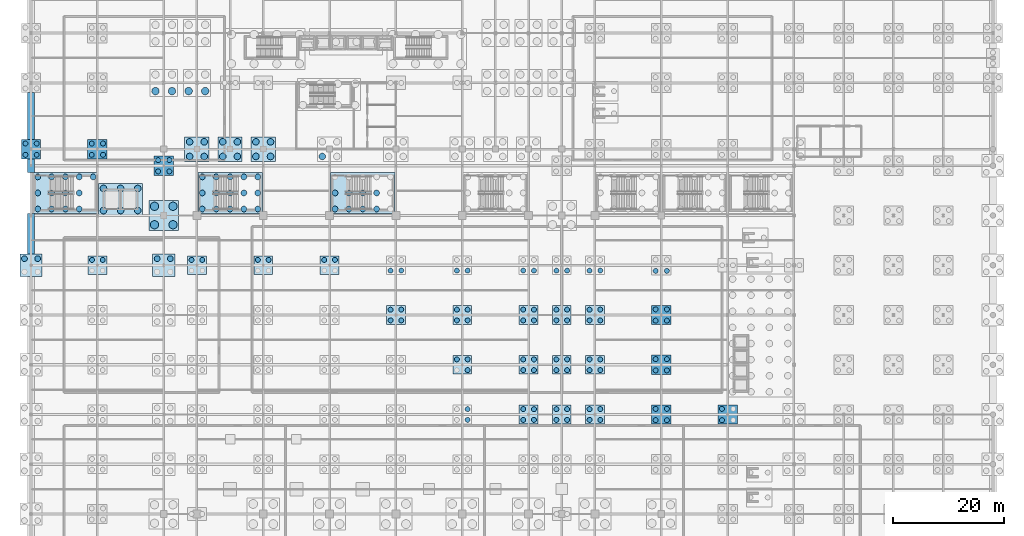
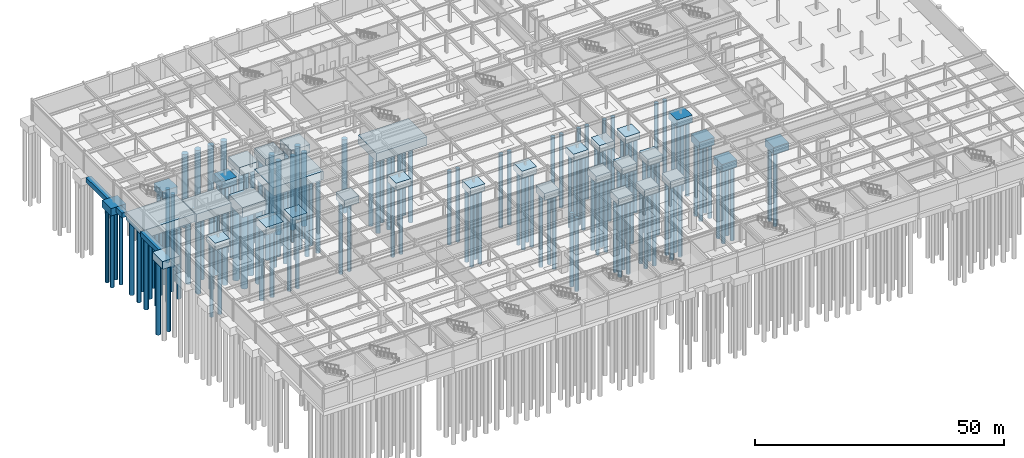
# One storey, part 3 of 47: 162 piles, 36 footings.
"""IFC4 building model written with IfcOpenShell, lengths in metres."""

from ifc_helpers import new_model, si_unit, direction, frame, origin, origin_2d, place, context, subcontext, project, spatial, rectangle, circle, extrude, material, material_profile, profile_set, type_object, element, save


model = new_model("IFC4")

# Units and contexts
model_context = context("Model", 3, precision=1e-05, world=origin(), true_north=direction((0.0, 1.0)))
body_context = subcontext(model_context, "Body", "Model", "MODEL_VIEW")
ifc_project = project(units=[si_unit("LENGTHUNIT", "METRE"), si_unit("AREAUNIT", "SQUARE_METRE"), si_unit("VOLUMEUNIT", "CUBIC_METRE"), si_unit("PLANEANGLEUNIT", "RADIAN"), si_unit("MASSUNIT", "GRAM", prefix="KILO")], contexts=[model_context])

# Site, building, storey
site_placement = place(None, origin())
site = spatial("IfcSite", under=ifc_project, at=site_placement, CompositionType="ELEMENT")
building_placement = place(site_placement, origin())
building = spatial("IfcBuilding", under=site, at=building_placement, Name="Kaldorvane Square Convention Centre", CompositionType="ELEMENT")
storey_placement = place(building_placement, frame((0.0, 0.0, -5.399993896484375)))
storey = spatial("IfcBuildingStorey", under=building, at=storey_placement, Name="B01", CompositionType="ELEMENT", Elevation=-5.399993896484375)

# Footings
ifc_material = material(Name="Concrete f'c = 42 MPa (Normalweight)", Category="concrete")
footing_type_1 = type_object("IfcFootingType", Name="FT-FB-1200X1200", PredefinedType="FOOTING_BEAM", material=ifc_material)
footing_1_placement = place(storey_placement, frame((0.0, 68.67500305175781, -1.20001220703125), z_axis=(0.0, 0.0, 1.0), x_axis=(1.0, 0.0, 0.0)))
element("IfcFooting", 1, at=footing_1_placement, inside=storey, type_object=footing_type_1, Name="Seismic Footing Beam 040", PredefinedType="FOOTING_BEAM", context=body_context, shape_type="SweptSolid", body=[
    extrude(rectangle(XDim=1.1999969482421875, YDim=7.350006103515625, at=origin_2d()), origin(), (0.0, 0.0, 1.0), 1.1999969482421875),
])
footing_2_placement = place(storey_placement, frame((0.0, 81.02999877929688, -1.20001220703125), z_axis=(0.0, 0.0, 1.0), x_axis=(1.0, 0.0, 0.0)))
element("IfcFooting", 2, at=footing_2_placement, inside=storey, type_object=footing_type_1, Name="Seismic Footing Beam 041", PredefinedType="FOOTING_BEAM", context=body_context, shape_type="SweptSolid", body=[
    extrude(rectangle(XDim=1.1999969482421875, YDim=2.44000244140625, at=origin_2d()), origin(), (0.0, 0.0, 1.0), 1.1999969482421875),
])
footing_3_placement = place(storey_placement, frame((0.0, 90.0, -1.20001220703125), z_axis=(0.0, 0.0, 1.0), x_axis=(1.0, 0.0, 0.0)))
element("IfcFooting", 3, at=footing_3_placement, inside=storey, type_object=footing_type_1, Name="Seismic Footing Beam 042", PredefinedType="FOOTING_BEAM", context=body_context, shape_type="SweptSolid", body=[
    extrude(rectangle(XDim=1.1999969482421875, YDim=8.5, at=origin_2d()), origin(), (0.0, 0.0, 1.0), 1.1999969482421875),
])
footing_type_2 = type_object("IfcFootingType", Name="FT-PC-3400X3400", PredefinedType="PILE_CAP", material=ifc_material)
for number, where, z_axis, x_axis, name in (
    (4, (12.0, 63.0, -1.70001220703125), (0.0, 0.0, 1.0), (1.0, 0.0, 0.0), "Pile Cap FC-37-022"),
    (5, (30.0, 63.0, -1.70001220703125), (0.0, 0.0, 1.0), (1.0, 0.0, 0.0), "Pile Cap FC-37-050"),
    (6, (42.0, 63.0, -1.70001220703125), (0.0, 0.0, 1.0), (1.0, 0.0, 0.0), "Pile Cap FC-37-068"),
    (7, (54.0, 63.0, -1.70001220703125), (0.0, 0.0, 1.0), (1.0, 0.0, 0.0), "Pile Cap FC-37-082"),
    (8, (66.0, 54.0, -1.70001220703125), (0.0, 0.0, 1.0), (1.0, 0.0, 0.0), "Pile Cap FC-37-094"),
    (9, (78.0, 45.0, -1.70001220703125), (0.0, 0.0, 1.0), (1.0, 0.0, 0.0), "Pile Cap FC-37-107"),
    (10, (78.0, 54.0, -1.70001220703125), (0.0, 0.0, 1.0), (1.0, 0.0, 0.0), "Pile Cap FC-37-108"),
    (11, (90.0, 36.0, -1.70001220703125), (0.0, 0.0, 1.0), (1.0, 0.0, 0.0), "Pile Cap FC-37-124"),
    (12, (90.0, 45.0, -1.70001220703125), (0.0, 0.0, 1.0), (1.0, 0.0, 0.0), "Pile Cap FC-37-125"),
    (13, (90.0, 54.0, -1.70001220703125), (0.0, 0.0, 1.0), (1.0, 0.0, 0.0), "Pile Cap FC-37-126"),
    (14, (96.0, 36.0, -1.70001220703125), (0.0, 0.0, 1.0), (1.0, 0.0, 0.0), "Pile Cap FC-37-138"),
    (15, (96.0, 45.0, -1.70001220703125), (0.0, 0.0, 1.0), (1.0, 0.0, 0.0), "Pile Cap FC-37-139"),
    (16, (96.0, 54.0, -1.70001220703125), (0.0, 0.0, 1.0), (1.0, 0.0, 0.0), "Pile Cap FC-37-140"),
    (17, (102.0, 36.0, -1.70001220703125), (0.0, 0.0, 1.0), (1.0, 0.0, 0.0), "Pile Cap FC-37-152"),
    (18, (102.0, 45.0, -1.70001220703125), (0.0, 0.0, 1.0), (1.0, 0.0, 0.0), "Pile Cap FC-37-153"),
    (19, (102.0, 54.0, -1.70001220703125), (0.0, 0.0, 1.0), (1.0, 0.0, 0.0), "Pile Cap FC-37-154"),
):
    element("IfcFooting", number, at=place(storey_placement, frame(where, z_axis=z_axis, x_axis=x_axis)), inside=storey, type_object=footing_type_2, Name=name, PredefinedType="PILE_CAP", context=body_context, shape_type="SweptSolid", body=[
        extrude(rectangle(XDim=3.399993896484375, YDim=3.399993896484375, at=origin_2d()), origin(), (0.0, 0.0, 1.0), 1.6999969482421875),
    ])
footing_type_3 = type_object("IfcFootingType", Name="FT-PC-3500X3500", PredefinedType="PILE_CAP", material=ifc_material)
for number, where, z_axis, x_axis, name in (
    (20, (0.0, 84.0, -1.800018310546875), (0.0, 0.0, 1.0), (1.0, 0.0, 0.0), "Pile Cap FC-36-011"),
    (21, (12.0, 84.0, -1.800018310546875), (0.0, 0.0, 1.0), (1.0, 0.0, 0.0), "Pile Cap FC-36-025"),
    (22, (24.0, 81.0, -1.800018310546875), (0.0, 0.0, 1.0), (1.0, 0.0, 0.0), "Pile Cap FC-36-038"),
    (23, (114.0, 36.0, -1.800018310546875), (0.0, 0.0, 1.0), (1.0, 0.0, 0.0), "Pile Cap FC-36-166"),
    (24, (114.0, 45.0, -1.800018310546875), (0.0, 0.0, 1.0), (1.0, 0.0, 0.0), "Pile Cap FC-36-167"),
    (25, (114.0, 54.0, -1.800018310546875), (0.0, 0.0, 1.0), (1.0, 0.0, 0.0), "Pile Cap FC-36-168"),
    (26, (126.0, 36.0, -1.800018310546875), (0.0, 0.0, 1.0), (1.0, 0.0, 0.0), "Pile Cap FC-36-180"),
):
    element("IfcFooting", number, at=place(storey_placement, frame(where, z_axis=z_axis, x_axis=x_axis)), inside=storey, type_object=footing_type_3, Name=name, PredefinedType="PILE_CAP", context=body_context, shape_type="SweptSolid", body=[
        extrude(rectangle(XDim=3.5, YDim=3.5, at=origin_2d()), origin(), (0.0, 0.0, 1.0), 1.8000030517578125),
    ])
footing_type_4 = type_object("IfcFootingType", Name="FT-PC-4000X4000", PredefinedType="PILE_CAP", material=ifc_material)
for number, where, z_axis, x_axis, name in (
    (27, (0.0, 63.0, -1.9000091552734375), (0.0, 0.0, 1.0), (1.0, 0.0, 0.0), "Pile Cap FC-35-008"),
    (28, (24.0, 63.0, -1.9000091552734375), (0.0, 0.0, 1.0), (1.0, 0.0, 0.0), "Pile Cap FC-35-036"),
):
    element("IfcFooting", number, at=place(storey_placement, frame(where, z_axis=z_axis, x_axis=x_axis)), inside=storey, type_object=footing_type_4, Name=name, PredefinedType="PILE_CAP", context=body_context, shape_type="SweptSolid", body=[
        extrude(rectangle(XDim=4.0, YDim=4.0, at=origin_2d()), origin(), (0.0, 0.0, 1.0), 1.899993896484375),
    ])
footing_type_5 = type_object("IfcFootingType", Name="FT-PC-4400X4400", PredefinedType="PILE_CAP", material=ifc_material)
for number, where, z_axis, x_axis, name in (
    (29, (30.0, 84.0, -2.0), (0.0, 0.0, 1.0), (1.0, 0.0, 0.0), "Pile Cap FC-34-053"),
    (30, (36.0, 84.0, -2.0), (0.0, 0.0, 1.0), (1.0, 0.0, 0.0), "Pile Cap FC-34-057"),
    (31, (42.0, 84.0, -2.0), (0.0, 0.0, 1.0), (1.0, 0.0, 0.0), "Pile Cap FC-34-071"),
):
    element("IfcFooting", number, at=place(storey_placement, frame(where, z_axis=z_axis, x_axis=x_axis)), inside=storey, type_object=footing_type_5, Name=name, PredefinedType="PILE_CAP", context=body_context, shape_type="SweptSolid", body=[
        extrude(rectangle(XDim=4.399993896484375, YDim=4.399993896484375, at=origin_2d()), origin(), (0.0, 0.0, 1.0), 2.0),
    ])
footing_type_6 = type_object("IfcFootingType", Name="FT-PC-5400X5400", PredefinedType="PILE_CAP", material=ifc_material)
footing_4_placement = place(storey_placement, frame((24.0, 72.0, -2.4000091552734375), z_axis=(0.0, 0.0, 1.0), x_axis=(1.0, 0.0, 0.0)))
element("IfcFooting", 32, at=footing_4_placement, inside=storey, type_object=footing_type_6, Name="Pile Cap FC-32-037", PredefinedType="PILE_CAP", context=body_context, shape_type="SweptSolid", body=[
    extrude(rectangle(XDim=5.399993896484375, YDim=5.399993896484375, at=origin_2d()), origin(), (0.0, 0.0, 1.0), 2.399993896484375),
])
footing_type_7 = type_object("IfcFootingType", Name="FT-PC-CORE-FG", PredefinedType="PILE_CAP", material=ifc_material)
footing_5_placement = place(storey_placement, frame((16.199996948242188, 74.89999389648438, -2.100006103515625), z_axis=(0.0, 0.0, 1.0), x_axis=(1.0, 0.0, 0.0)))
element("IfcFooting", 33, at=footing_5_placement, inside=storey, type_object=footing_type_7, Name="Core Pile Cap FC-06", PredefinedType="PILE_CAP", context=body_context, shape_type="SweptSolid", body=[
    extrude(rectangle(XDim=8.0, YDim=5.8000030517578125, at=origin_2d()), origin(), (0.0, 0.0, 1.0), 2.100006103515625),
])
footing_type_8 = type_object("IfcFootingType", Name="FT-PC-STAIR-ST-C12", PredefinedType="PILE_CAP", material=ifc_material)
footing_6_placement = place(storey_placement, frame((6.220001220703125, 76.08000183105469, -2.0), z_axis=(0.0, 0.0, 1.0), x_axis=(1.0, 0.0, 0.0)))
element("IfcFooting", 34, at=footing_6_placement, inside=storey, type_object=footing_type_8, Name="Core Pile Cap FC-17", PredefinedType="PILE_CAP", context=body_context, shape_type="SweptSolid", body=[
    extrude(rectangle(XDim=11.67999267578125, YDim=7.4600067138671875, at=origin_2d()), origin(), (0.0, 0.0, 1.0), 2.0),
])
footing_type_9 = type_object("IfcFootingType", Name="FT-PC-STAIR-ST-C13", PredefinedType="PILE_CAP", material=ifc_material)
footing_7_placement = place(storey_placement, frame((36.0, 76.08000183105469, -2.050018310546875), z_axis=(0.0, 0.0, 1.0), x_axis=(1.0, 0.0, 0.0)))
element("IfcFooting", 35, at=footing_7_placement, inside=storey, type_object=footing_type_9, Name="Core Pile Cap FC-18", PredefinedType="PILE_CAP", context=body_context, shape_type="SweptSolid", body=[
    extrude(rectangle(XDim=11.67999267578125, YDim=7.4600067138671875, at=origin_2d()), origin(), (0.0, 0.0, 1.0), 2.0500030517578125),
])
footing_type_10 = type_object("IfcFootingType", Name="FT-PC-STAIR-ST-C14", PredefinedType="PILE_CAP", material=ifc_material)
footing_8_placement = place(storey_placement, frame((60.0, 76.08000183105469, -2.100006103515625), z_axis=(0.0, 0.0, 1.0), x_axis=(1.0, 0.0, 0.0)))
element("IfcFooting", 36, at=footing_8_placement, inside=storey, type_object=footing_type_10, Name="Core Pile Cap FC-19", PredefinedType="PILE_CAP", context=body_context, shape_type="SweptSolid", body=[
    extrude(rectangle(XDim=11.67999267578125, YDim=7.4600067138671875, at=origin_2d()), origin(), (0.0, 0.0, 1.0), 2.100006103515625),
])

# Piles
ifc_material_profile_1 = material_profile(ifc_material, circle(Radius=0.524993896484375, at=origin_2d()), Name="PILE-D1050")
ifc_profile_set_1 = profile_set([ifc_material_profile_1], Name="Concrete f'c = 42 MPa (Normalweight)")
pile_type_1 = type_object("IfcPileType", Name="PL-CIDH-1050", PredefinedType="BORED", material=ifc_profile_set_1)
for number, where, z_axis, x_axis, name in (
    (37, (1.2050018310546875, 73.17500305175781, -2.0), (0.0, 0.0, -1.0), (1.0, 0.0, 0.0), "Bored Pile 0199"),
    (38, (1.2050018310546875, 76.08000183105469, -2.0), (0.0, 0.0, -1.0), (1.0, 0.0, 0.0), "Bored Pile 0200"),
    (39, (1.2050018310546875, 78.98500061035156, -2.0), (0.0, 0.0, -1.0), (1.0, 0.0, 0.0), "Bored Pile 0201"),
    (40, (3.712493896484375, 73.17500305175781, -2.0), (0.0, 0.0, -1.0), (1.0, 0.0, 0.0), "Bored Pile 0202"),
    (41, (3.712493896484375, 76.08000183105469, -2.0), (0.0, 0.0, -1.0), (1.0, 0.0, 0.0), "Bored Pile 0203"),
    (42, (3.712493896484375, 78.98500061035156, -2.0), (0.0, 0.0, -1.0), (1.0, 0.0, 0.0), "Bored Pile 0204"),
    (43, (6.220001220703125, 73.17500305175781, -2.0), (0.0, 0.0, -1.0), (1.0, 0.0, 0.0), "Bored Pile 0205"),
    (44, (6.220001220703125, 76.08000183105469, -2.0), (0.0, 0.0, -1.0), (1.0, 0.0, 0.0), "Bored Pile 0206"),
    (45, (6.220001220703125, 78.98500061035156, -2.0), (0.0, 0.0, -1.0), (1.0, 0.0, 0.0), "Bored Pile 0207"),
    (46, (8.727493286132812, 73.17500305175781, -2.0), (0.0, 0.0, -1.0), (1.0, 0.0, 0.0), "Bored Pile 0208"),
    (47, (8.727493286132812, 76.08000183105469, -2.0), (0.0, 0.0, -1.0), (1.0, 0.0, 0.0), "Bored Pile 0209"),
    (48, (8.727493286132812, 78.98500061035156, -2.0), (0.0, 0.0, -1.0), (1.0, 0.0, 0.0), "Bored Pile 0210"),
    (49, (11.235000610351562, 78.98500061035156, -2.0), (0.0, 0.0, -1.0), (1.0, 0.0, 0.0), "Bored Pile 0211"),
    (50, (30.985000610351562, 73.17500305175781, -2.0500030517578125), (0.0, 0.0, -1.0), (1.0, 0.0, 0.0), "Bored Pile 0212"),
    (51, (30.985000610351562, 76.08000183105469, -2.0500030517578125), (0.0, 0.0, -1.0), (1.0, 0.0, 0.0), "Bored Pile 0213"),
    (52, (30.985000610351562, 78.98500061035156, -2.0500030517578125), (0.0, 0.0, -1.0), (1.0, 0.0, 0.0), "Bored Pile 0214"),
    (53, (33.49249267578125, 73.17500305175781, -2.0500030517578125), (0.0, 0.0, -1.0), (1.0, 0.0, 0.0), "Bored Pile 0215"),
    (54, (33.49249267578125, 76.08000183105469, -2.0500030517578125), (0.0, 0.0, -1.0), (1.0, 0.0, 0.0), "Bored Pile 0216"),
    (55, (33.49249267578125, 78.98500061035156, -2.0500030517578125), (0.0, 0.0, -1.0), (1.0, 0.0, 0.0), "Bored Pile 0217"),
    (56, (36.0, 73.17500305175781, -2.0500030517578125), (0.0, 0.0, -1.0), (1.0, 0.0, 0.0), "Bored Pile 0218"),
    (57, (36.0, 76.08000183105469, -2.0500030517578125), (0.0, 0.0, -1.0), (1.0, 0.0, 0.0), "Bored Pile 0219"),
    (58, (36.0, 78.98500061035156, -2.0500030517578125), (0.0, 0.0, -1.0), (1.0, 0.0, 0.0), "Bored Pile 0220"),
    (59, (38.50750732421875, 73.17500305175781, -2.0500030517578125), (0.0, 0.0, -1.0), (1.0, 0.0, 0.0), "Bored Pile 0221"),
    (60, (38.50750732421875, 76.08000183105469, -2.0500030517578125), (0.0, 0.0, -1.0), (1.0, 0.0, 0.0), "Bored Pile 0222"),
    (61, (38.50750732421875, 78.98500061035156, -2.0500030517578125), (0.0, 0.0, -1.0), (1.0, 0.0, 0.0), "Bored Pile 0223"),
    (62, (41.01499938964844, 73.17500305175781, -2.0500030517578125), (0.0, 0.0, -1.0), (1.0, 0.0, 0.0), "Bored Pile 0224"),
    (63, (41.01499938964844, 76.08000183105469, -2.0500030517578125), (0.0, 0.0, -1.0), (1.0, 0.0, 0.0), "Bored Pile 0225"),
    (64, (41.01499938964844, 78.98500061035156, -2.0500030517578125), (0.0, 0.0, -1.0), (1.0, 0.0, 0.0), "Bored Pile 0226"),
    (65, (54.98500061035156, 73.17500305175781, -2.100006103515625), (0.0, 0.0, -1.0), (1.0, 0.0, 0.0), "Bored Pile 0227"),
    (66, (54.98500061035156, 76.08000183105469, -2.100006103515625), (0.0, 0.0, -1.0), (1.0, 0.0, 0.0), "Bored Pile 0228"),
    (67, (57.49249267578125, 73.17500305175781, -2.100006103515625), (0.0, 0.0, -1.0), (1.0, 0.0, 0.0), "Bored Pile 0230"),
    (68, (57.49249267578125, 76.08000183105469, -2.100006103515625), (0.0, 0.0, -1.0), (1.0, 0.0, 0.0), "Bored Pile 0231"),
    (69, (60.0, 73.17500305175781, -2.100006103515625), (0.0, 0.0, -1.0), (1.0, 0.0, 0.0), "Bored Pile 0233"),
    (70, (60.0, 76.08000183105469, -2.100006103515625), (0.0, 0.0, -1.0), (1.0, 0.0, 0.0), "Bored Pile 0234"),
    (71, (62.50750732421875, 73.17500305175781, -2.100006103515625), (0.0, 0.0, -1.0), (1.0, 0.0, 0.0), "Bored Pile 0236"),
    (72, (62.50750732421875, 76.08000183105469, -2.100006103515625), (0.0, 0.0, -1.0), (1.0, 0.0, 0.0), "Bored Pile 0237"),
    (73, (-1.19500732421875, 64.19500732421875, -1.9000091552734375), (0.0, 0.0, -1.0), (1.0, 0.0, 0.0), "Bored Pile 0329"),
    (74, (1.19500732421875, 64.19500732421875, -1.9000091552734375), (0.0, 0.0, -1.0), (1.0, 0.0, 0.0), "Bored Pile 0331"),
    (75, (22.80499267578125, 64.19500732421875, -1.9000091552734375), (0.0, 0.0, -1.0), (1.0, 0.0, 0.0), "Bored Pile 0409"),
    (76, (25.19500732421875, 64.19500732421875, -1.9000091552734375), (0.0, 0.0, -1.0), (1.0, 0.0, 0.0), "Bored Pile 0411"),
):
    element("IfcPile", number, at=place(storey_placement, frame(where, z_axis=z_axis, x_axis=x_axis)), inside=storey, type_object=pile_type_1, Name=name, PredefinedType="BORED", context=body_context, shape_type="SweptSolid", body=[
        extrude(circle(Radius=0.524993896484375, at=origin_2d()), origin(), (0.0, 0.0, 1.0), 18.0),
    ])
ifc_material_profile_2 = material_profile(ifc_material, circle(Radius=0.600006103515625, at=origin_2d()), Name="PILE-D1200")
ifc_profile_set_2 = profile_set([ifc_material_profile_2], Name="Concrete f'c = 42 MPa (Normalweight)")
pile_type_2 = type_object("IfcPileType", Name="PL-CIDH-1200", PredefinedType="BORED", material=ifc_profile_set_2)
for number, where, z_axis, x_axis, name in (
    (77, (13.100006103515625, 72.89999389648438, -2.100006103515625), (0.0, 0.0, -1.0), (1.0, 0.0, 0.0), "Bored Pile 0061"),
    (78, (13.100006103515625, 76.89999389648438, -2.100006103515625), (0.0, 0.0, -1.0), (1.0, 0.0, 0.0), "Bored Pile 0062"),
    (79, (16.199996948242188, 72.89999389648438, -2.100006103515625), (0.0, 0.0, -1.0), (1.0, 0.0, 0.0), "Bored Pile 0063"),
    (80, (16.199996948242188, 76.89999389648438, -2.100006103515625), (0.0, 0.0, -1.0), (1.0, 0.0, 0.0), "Bored Pile 0064"),
    (81, (19.300003051757812, 72.89999389648438, -2.100006103515625), (0.0, 0.0, -1.0), (1.0, 0.0, 0.0), "Bored Pile 0065"),
    (82, (19.300003051757812, 76.89999389648438, -2.100006103515625), (0.0, 0.0, -1.0), (1.0, 0.0, 0.0), "Bored Pile 0066"),
    (83, (28.67999267578125, 82.67999267578125, -2.0), (0.0, 0.0, -1.0), (1.0, 0.0, 0.0), "Bored Pile 0454"),
    (84, (28.67999267578125, 85.32000732421875, -2.0), (0.0, 0.0, -1.0), (1.0, 0.0, 0.0), "Bored Pile 0455"),
    (85, (31.32000732421875, 82.67999267578125, -2.0), (0.0, 0.0, -1.0), (1.0, 0.0, 0.0), "Bored Pile 0456"),
    (86, (31.32000732421875, 85.32000732421875, -2.0), (0.0, 0.0, -1.0), (1.0, 0.0, 0.0), "Bored Pile 0457"),
    (87, (34.67999267578125, 82.67999267578125, -2.0), (0.0, 0.0, -1.0), (1.0, 0.0, 0.0), "Bored Pile 0470"),
    (88, (34.67999267578125, 85.32000732421875, -2.0), (0.0, 0.0, -1.0), (1.0, 0.0, 0.0), "Bored Pile 0471"),
    (89, (37.32000732421875, 82.67999267578125, -2.0), (0.0, 0.0, -1.0), (1.0, 0.0, 0.0), "Bored Pile 0472"),
    (90, (37.32000732421875, 85.32000732421875, -2.0), (0.0, 0.0, -1.0), (1.0, 0.0, 0.0), "Bored Pile 0473"),
    (91, (40.67999267578125, 82.67999267578125, -2.0), (0.0, 0.0, -1.0), (1.0, 0.0, 0.0), "Bored Pile 0504"),
    (92, (40.67999267578125, 85.32000732421875, -2.0), (0.0, 0.0, -1.0), (1.0, 0.0, 0.0), "Bored Pile 0505"),
    (93, (43.32000732421875, 82.67999267578125, -2.0), (0.0, 0.0, -1.0), (1.0, 0.0, 0.0), "Bored Pile 0506"),
    (94, (43.32000732421875, 85.32000732421875, -2.0), (0.0, 0.0, -1.0), (1.0, 0.0, 0.0), "Bored Pile 0507"),
    (95, (52.67999267578125, 82.67999267578125, -2.0), (0.0, 0.0, -1.0), (1.0, 0.0, 0.0), "Bored Pile 0538"),
):
    element("IfcPile", number, at=place(storey_placement, frame(where, z_axis=z_axis, x_axis=x_axis)), inside=storey, type_object=pile_type_2, Name=name, PredefinedType="BORED", context=body_context, shape_type="SweptSolid", body=[
        extrude(circle(Radius=0.600006103515625, at=origin_2d()), origin(), (0.0, 0.0, 1.0), 18.0),
    ])
ifc_material_profile_3 = material_profile(ifc_material, circle(Radius=0.6750030517578125, at=origin_2d()), Name="PILE-D1350")
ifc_profile_set_3 = profile_set([ifc_material_profile_3], Name="Concrete f'c = 42 MPa (Normalweight)")
pile_type_3 = type_object("IfcPileType", Name="PL-CIDH-1350", PredefinedType="BORED", material=ifc_profile_set_3)
for number, where, z_axis, x_axis, name in (
    (96, (22.5050048828125, 94.5050048828125, -2.20001220703125), (0.0, 0.0, -1.0), (1.0, 0.0, 0.0), "Bored Pile 0420"),
    (97, (25.4949951171875, 94.5050048828125, -2.20001220703125), (0.0, 0.0, -1.0), (1.0, 0.0, 0.0), "Bored Pile 0422"),
    (98, (28.5050048828125, 94.5050048828125, -2.20001220703125), (0.0, 0.0, -1.0), (1.0, 0.0, 0.0), "Bored Pile 0458"),
    (99, (31.4949951171875, 94.5050048828125, -2.20001220703125), (0.0, 0.0, -1.0), (1.0, 0.0, 0.0), "Bored Pile 0460"),
):
    element("IfcPile", number, at=place(storey_placement, frame(where, z_axis=z_axis, x_axis=x_axis)), inside=storey, type_object=pile_type_3, Name=name, PredefinedType="BORED", context=body_context, shape_type="SweptSolid", body=[
        extrude(circle(Radius=0.6750030517578125, at=origin_2d()), origin(), (0.0, 0.0, 1.0), 18.0),
    ])
ifc_material_profile_4 = material_profile(ifc_material, circle(Radius=0.75, at=origin_2d()), Name="PILE-D1500")
ifc_profile_set_4 = profile_set([ifc_material_profile_4], Name="Concrete f'c = 42 MPa (Normalweight)")
pile_type_4 = type_object("IfcPileType", Name="PL-CIDH-1500", PredefinedType="BORED", material=ifc_profile_set_4)
for number, where, z_axis, x_axis, name in (
    (100, (22.330001831054688, 70.33000183105469, -2.4000091552734375), (0.0, 0.0, -1.0), (1.0, 0.0, 0.0), "Bored Pile 0412"),
    (101, (22.330001831054688, 73.66999816894531, -2.4000091552734375), (0.0, 0.0, -1.0), (1.0, 0.0, 0.0), "Bored Pile 0413"),
    (102, (25.669998168945312, 70.33000183105469, -2.4000091552734375), (0.0, 0.0, -1.0), (1.0, 0.0, 0.0), "Bored Pile 0414"),
    (103, (25.669998168945312, 73.66999816894531, -2.4000091552734375), (0.0, 0.0, -1.0), (1.0, 0.0, 0.0), "Bored Pile 0415"),
):
    element("IfcPile", number, at=place(storey_placement, frame(where, z_axis=z_axis, x_axis=x_axis)), inside=storey, type_object=pile_type_4, Name=name, PredefinedType="BORED", context=body_context, shape_type="SweptSolid", body=[
        extrude(circle(Radius=0.75, at=origin_2d()), origin(), (0.0, 0.0, 1.0), 18.0),
    ])
ifc_material_profile_5 = material_profile(ifc_material, circle(Radius=0.4499969482421875, at=origin_2d()), Name="PILE-D900")
ifc_profile_set_5 = profile_set([ifc_material_profile_5], Name="Concrete f'c = 42 MPa (Normalweight)")
pile_type_5 = type_object("IfcPileType", Name="PL-CIDH-900", PredefinedType="BORED", material=ifc_profile_set_5)
for number, where, z_axis, x_axis, name in (
    (104, (-1.0200042724609375, 82.97999572753906, -1.8000030517578125), (0.0, 0.0, -1.0), (1.0, 0.0, 0.0), "Bored Pile 0332"),
    (105, (-1.0200042724609375, 85.02000427246094, -1.8000030517578125), (0.0, 0.0, -1.0), (1.0, 0.0, 0.0), "Bored Pile 0333"),
    (106, (1.0200042724609375, 82.97999572753906, -1.8000030517578125), (0.0, 0.0, -1.0), (1.0, 0.0, 0.0), "Bored Pile 0334"),
    (107, (1.0200042724609375, 85.02000427246094, -1.8000030517578125), (0.0, 0.0, -1.0), (1.0, 0.0, 0.0), "Bored Pile 0335"),
    (108, (11.029998779296875, 63.970001220703125, -1.70001220703125), (0.0, 0.0, -1.0), (1.0, 0.0, 0.0), "Bored Pile 0369"),
    (109, (12.970001220703125, 63.970001220703125, -1.70001220703125), (0.0, 0.0, -1.0), (1.0, 0.0, 0.0), "Bored Pile 0371"),
    (110, (10.979995727539062, 82.97999572753906, -1.8000030517578125), (0.0, 0.0, -1.0), (1.0, 0.0, 0.0), "Bored Pile 0372"),
    (111, (10.979995727539062, 85.02000427246094, -1.8000030517578125), (0.0, 0.0, -1.0), (1.0, 0.0, 0.0), "Bored Pile 0373"),
    (112, (13.020004272460938, 82.97999572753906, -1.8000030517578125), (0.0, 0.0, -1.0), (1.0, 0.0, 0.0), "Bored Pile 0374"),
    (113, (13.020004272460938, 85.02000427246094, -1.8000030517578125), (0.0, 0.0, -1.0), (1.0, 0.0, 0.0), "Bored Pile 0375"),
    (114, (22.979995727539062, 79.97999572753906, -1.8000030517578125), (0.0, 0.0, -1.0), (1.0, 0.0, 0.0), "Bored Pile 0416"),
    (115, (22.979995727539062, 82.02000427246094, -1.8000030517578125), (0.0, 0.0, -1.0), (1.0, 0.0, 0.0), "Bored Pile 0417"),
    (116, (25.020004272460938, 79.97999572753906, -1.8000030517578125), (0.0, 0.0, -1.0), (1.0, 0.0, 0.0), "Bored Pile 0418"),
    (117, (25.020004272460938, 82.02000427246094, -1.8000030517578125), (0.0, 0.0, -1.0), (1.0, 0.0, 0.0), "Bored Pile 0419"),
    (118, (29.029998779296875, 63.970001220703125, -1.70001220703125), (0.0, 0.0, -1.0), (1.0, 0.0, 0.0), "Bored Pile 0451"),
    (119, (30.970001220703125, 63.970001220703125, -1.70001220703125), (0.0, 0.0, -1.0), (1.0, 0.0, 0.0), "Bored Pile 0453"),
    (120, (41.029998779296875, 63.970001220703125, -1.70001220703125), (0.0, 0.0, -1.0), (1.0, 0.0, 0.0), "Bored Pile 0501"),
    (121, (42.970001220703125, 63.970001220703125, -1.70001220703125), (0.0, 0.0, -1.0), (1.0, 0.0, 0.0), "Bored Pile 0503"),
    (122, (53.029998779296875, 63.970001220703125, -1.70001220703125), (0.0, 0.0, -1.0), (1.0, 0.0, 0.0), "Bored Pile 0535"),
    (123, (54.970001220703125, 63.970001220703125, -1.70001220703125), (0.0, 0.0, -1.0), (1.0, 0.0, 0.0), "Bored Pile 0537"),
    (124, (65.02999877929688, 53.029998779296875, -1.70001220703125), (0.0, 0.0, -1.0), (1.0, 0.0, 0.0), "Bored Pile 0562"),
    (125, (65.02999877929688, 54.970001220703125, -1.70001220703125), (0.0, 0.0, -1.0), (1.0, 0.0, 0.0), "Bored Pile 0563"),
    (126, (66.97000122070312, 53.029998779296875, -1.70001220703125), (0.0, 0.0, -1.0), (1.0, 0.0, 0.0), "Bored Pile 0564"),
    (127, (66.97000122070312, 54.970001220703125, -1.70001220703125), (0.0, 0.0, -1.0), (1.0, 0.0, 0.0), "Bored Pile 0565"),
    (128, (65.02999877929688, 62.029998779296875, -1.70001220703125), (0.0, 0.0, -1.0), (1.0, 0.0, 0.0), "Bored Pile 0566"),
    (129, (66.97000122070312, 62.029998779296875, -1.70001220703125), (0.0, 0.0, -1.0), (1.0, 0.0, 0.0), "Bored Pile 0568"),
    (130, (78.97000122070312, 35.029998779296875, -1.70001220703125), (0.0, 0.0, -1.0), (1.0, 0.0, 0.0), "Bored Pile 0590"),
    (131, (78.97000122070312, 36.970001220703125, -1.70001220703125), (0.0, 0.0, -1.0), (1.0, 0.0, 0.0), "Bored Pile 0591"),
    (132, (77.02999877929688, 45.970001220703125, -1.70001220703125), (0.0, 0.0, -1.0), (1.0, 0.0, 0.0), "Bored Pile 0593"),
    (133, (78.97000122070312, 44.029998779296875, -1.70001220703125), (0.0, 0.0, -1.0), (1.0, 0.0, 0.0), "Bored Pile 0594"),
    (134, (78.97000122070312, 45.970001220703125, -1.70001220703125), (0.0, 0.0, -1.0), (1.0, 0.0, 0.0), "Bored Pile 0595"),
    (135, (77.02999877929688, 53.029998779296875, -1.70001220703125), (0.0, 0.0, -1.0), (1.0, 0.0, 0.0), "Bored Pile 0596"),
    (136, (77.02999877929688, 54.970001220703125, -1.70001220703125), (0.0, 0.0, -1.0), (1.0, 0.0, 0.0), "Bored Pile 0597"),
    (137, (78.97000122070312, 53.029998779296875, -1.70001220703125), (0.0, 0.0, -1.0), (1.0, 0.0, 0.0), "Bored Pile 0598"),
    (138, (78.97000122070312, 54.970001220703125, -1.70001220703125), (0.0, 0.0, -1.0), (1.0, 0.0, 0.0), "Bored Pile 0599"),
    (139, (77.02999877929688, 62.029998779296875, -1.70001220703125), (0.0, 0.0, -1.0), (1.0, 0.0, 0.0), "Bored Pile 0600"),
    (140, (78.97000122070312, 62.029998779296875, -1.70001220703125), (0.0, 0.0, -1.0), (1.0, 0.0, 0.0), "Bored Pile 0602"),
    (141, (89.02999877929688, 35.029998779296875, -1.70001220703125), (0.0, 0.0, -1.0), (1.0, 0.0, 0.0), "Bored Pile 0646"),
    (142, (89.02999877929688, 36.970001220703125, -1.70001220703125), (0.0, 0.0, -1.0), (1.0, 0.0, 0.0), "Bored Pile 0647"),
    (143, (90.97000122070312, 35.029998779296875, -1.70001220703125), (0.0, 0.0, -1.0), (1.0, 0.0, 0.0), "Bored Pile 0648"),
    (144, (90.97000122070312, 36.970001220703125, -1.70001220703125), (0.0, 0.0, -1.0), (1.0, 0.0, 0.0), "Bored Pile 0649"),
    (145, (89.02999877929688, 44.029998779296875, -1.70001220703125), (0.0, 0.0, -1.0), (1.0, 0.0, 0.0), "Bored Pile 0650"),
    (146, (89.02999877929688, 45.970001220703125, -1.70001220703125), (0.0, 0.0, -1.0), (1.0, 0.0, 0.0), "Bored Pile 0651"),
    (147, (90.97000122070312, 44.029998779296875, -1.70001220703125), (0.0, 0.0, -1.0), (1.0, 0.0, 0.0), "Bored Pile 0652"),
    (148, (90.97000122070312, 45.970001220703125, -1.70001220703125), (0.0, 0.0, -1.0), (1.0, 0.0, 0.0), "Bored Pile 0653"),
    (149, (89.02999877929688, 53.029998779296875, -1.70001220703125), (0.0, 0.0, -1.0), (1.0, 0.0, 0.0), "Bored Pile 0654"),
    (150, (89.02999877929688, 54.970001220703125, -1.70001220703125), (0.0, 0.0, -1.0), (1.0, 0.0, 0.0), "Bored Pile 0655"),
    (151, (90.97000122070312, 53.029998779296875, -1.70001220703125), (0.0, 0.0, -1.0), (1.0, 0.0, 0.0), "Bored Pile 0656"),
    (152, (90.97000122070312, 54.970001220703125, -1.70001220703125), (0.0, 0.0, -1.0), (1.0, 0.0, 0.0), "Bored Pile 0657"),
    (153, (89.02999877929688, 62.029998779296875, -1.70001220703125), (0.0, 0.0, -1.0), (1.0, 0.0, 0.0), "Bored Pile 0658"),
    (154, (90.97000122070312, 62.029998779296875, -1.70001220703125), (0.0, 0.0, -1.0), (1.0, 0.0, 0.0), "Bored Pile 0660"),
    (155, (95.02999877929688, 35.029998779296875, -1.70001220703125), (0.0, 0.0, -1.0), (1.0, 0.0, 0.0), "Bored Pile 0692"),
    (156, (95.02999877929688, 36.970001220703125, -1.70001220703125), (0.0, 0.0, -1.0), (1.0, 0.0, 0.0), "Bored Pile 0693"),
    (157, (96.97000122070312, 35.029998779296875, -1.70001220703125), (0.0, 0.0, -1.0), (1.0, 0.0, 0.0), "Bored Pile 0694"),
    (158, (96.97000122070312, 36.970001220703125, -1.70001220703125), (0.0, 0.0, -1.0), (1.0, 0.0, 0.0), "Bored Pile 0695"),
    (159, (95.02999877929688, 44.029998779296875, -1.70001220703125), (0.0, 0.0, -1.0), (1.0, 0.0, 0.0), "Bored Pile 0696"),
    (160, (95.02999877929688, 45.970001220703125, -1.70001220703125), (0.0, 0.0, -1.0), (1.0, 0.0, 0.0), "Bored Pile 0697"),
    (161, (96.97000122070312, 44.029998779296875, -1.70001220703125), (0.0, 0.0, -1.0), (1.0, 0.0, 0.0), "Bored Pile 0698"),
    (162, (96.97000122070312, 45.970001220703125, -1.70001220703125), (0.0, 0.0, -1.0), (1.0, 0.0, 0.0), "Bored Pile 0699"),
    (163, (95.02999877929688, 53.029998779296875, -1.70001220703125), (0.0, 0.0, -1.0), (1.0, 0.0, 0.0), "Bored Pile 0700"),
    (164, (95.02999877929688, 54.970001220703125, -1.70001220703125), (0.0, 0.0, -1.0), (1.0, 0.0, 0.0), "Bored Pile 0701"),
    (165, (96.97000122070312, 53.029998779296875, -1.70001220703125), (0.0, 0.0, -1.0), (1.0, 0.0, 0.0), "Bored Pile 0702"),
    (166, (96.97000122070312, 54.970001220703125, -1.70001220703125), (0.0, 0.0, -1.0), (1.0, 0.0, 0.0), "Bored Pile 0703"),
    (167, (95.02999877929688, 62.029998779296875, -1.70001220703125), (0.0, 0.0, -1.0), (1.0, 0.0, 0.0), "Bored Pile 0704"),
    (168, (96.97000122070312, 62.029998779296875, -1.70001220703125), (0.0, 0.0, -1.0), (1.0, 0.0, 0.0), "Bored Pile 0706"),
    (169, (101.02999877929688, 35.029998779296875, -1.70001220703125), (0.0, 0.0, -1.0), (1.0, 0.0, 0.0), "Bored Pile 0736"),
    (170, (101.02999877929688, 36.970001220703125, -1.70001220703125), (0.0, 0.0, -1.0), (1.0, 0.0, 0.0), "Bored Pile 0737"),
    (171, (102.97000122070312, 35.029998779296875, -1.70001220703125), (0.0, 0.0, -1.0), (1.0, 0.0, 0.0), "Bored Pile 0738"),
    (172, (102.97000122070312, 36.970001220703125, -1.70001220703125), (0.0, 0.0, -1.0), (1.0, 0.0, 0.0), "Bored Pile 0739"),
    (173, (101.02999877929688, 44.029998779296875, -1.70001220703125), (0.0, 0.0, -1.0), (1.0, 0.0, 0.0), "Bored Pile 0740"),
    (174, (101.02999877929688, 45.970001220703125, -1.70001220703125), (0.0, 0.0, -1.0), (1.0, 0.0, 0.0), "Bored Pile 0741"),
    (175, (102.97000122070312, 44.029998779296875, -1.70001220703125), (0.0, 0.0, -1.0), (1.0, 0.0, 0.0), "Bored Pile 0742"),
    (176, (102.97000122070312, 45.970001220703125, -1.70001220703125), (0.0, 0.0, -1.0), (1.0, 0.0, 0.0), "Bored Pile 0743"),
    (177, (101.02999877929688, 53.029998779296875, -1.70001220703125), (0.0, 0.0, -1.0), (1.0, 0.0, 0.0), "Bored Pile 0744"),
    (178, (101.02999877929688, 54.970001220703125, -1.70001220703125), (0.0, 0.0, -1.0), (1.0, 0.0, 0.0), "Bored Pile 0745"),
    (179, (102.97000122070312, 53.029998779296875, -1.70001220703125), (0.0, 0.0, -1.0), (1.0, 0.0, 0.0), "Bored Pile 0746"),
    (180, (102.97000122070312, 54.970001220703125, -1.70001220703125), (0.0, 0.0, -1.0), (1.0, 0.0, 0.0), "Bored Pile 0747"),
    (181, (101.02999877929688, 62.029998779296875, -1.70001220703125), (0.0, 0.0, -1.0), (1.0, 0.0, 0.0), "Bored Pile 0748"),
    (182, (102.97000122070312, 62.029998779296875, -1.70001220703125), (0.0, 0.0, -1.0), (1.0, 0.0, 0.0), "Bored Pile 0750"),
    (183, (112.97999572753906, 34.97999572753906, -1.8000030517578125), (0.0, 0.0, -1.0), (1.0, 0.0, 0.0), "Bored Pile 0772"),
    (184, (112.97999572753906, 37.02000427246094, -1.8000030517578125), (0.0, 0.0, -1.0), (1.0, 0.0, 0.0), "Bored Pile 0773"),
    (185, (115.02000427246094, 34.97999572753906, -1.8000030517578125), (0.0, 0.0, -1.0), (1.0, 0.0, 0.0), "Bored Pile 0774"),
    (186, (115.02000427246094, 37.02000427246094, -1.8000030517578125), (0.0, 0.0, -1.0), (1.0, 0.0, 0.0), "Bored Pile 0775"),
    (187, (112.97999572753906, 43.97999572753906, -1.8000030517578125), (0.0, 0.0, -1.0), (1.0, 0.0, 0.0), "Bored Pile 0776"),
    (188, (112.97999572753906, 46.02000427246094, -1.8000030517578125), (0.0, 0.0, -1.0), (1.0, 0.0, 0.0), "Bored Pile 0777"),
    (189, (115.02000427246094, 43.97999572753906, -1.8000030517578125), (0.0, 0.0, -1.0), (1.0, 0.0, 0.0), "Bored Pile 0778"),
    (190, (115.02000427246094, 46.02000427246094, -1.8000030517578125), (0.0, 0.0, -1.0), (1.0, 0.0, 0.0), "Bored Pile 0779"),
    (191, (112.97999572753906, 52.97999572753906, -1.8000030517578125), (0.0, 0.0, -1.0), (1.0, 0.0, 0.0), "Bored Pile 0780"),
    (192, (112.97999572753906, 55.02000427246094, -1.8000030517578125), (0.0, 0.0, -1.0), (1.0, 0.0, 0.0), "Bored Pile 0781"),
    (193, (115.02000427246094, 52.97999572753906, -1.8000030517578125), (0.0, 0.0, -1.0), (1.0, 0.0, 0.0), "Bored Pile 0782"),
    (194, (115.02000427246094, 55.02000427246094, -1.8000030517578125), (0.0, 0.0, -1.0), (1.0, 0.0, 0.0), "Bored Pile 0783"),
    (195, (112.97999572753906, 61.97999572753906, -1.8000030517578125), (0.0, 0.0, -1.0), (1.0, 0.0, 0.0), "Bored Pile 0784"),
    (196, (115.02000427246094, 61.97999572753906, -1.8000030517578125), (0.0, 0.0, -1.0), (1.0, 0.0, 0.0), "Bored Pile 0786"),
    (197, (124.97999572753906, 34.97999572753906, -1.8000030517578125), (0.0, 0.0, -1.0), (1.0, 0.0, 0.0), "Bored Pile 0812"),
    (198, (124.97999572753906, 37.02000427246094, -1.8000030517578125), (0.0, 0.0, -1.0), (1.0, 0.0, 0.0), "Bored Pile 0813"),
):
    element("IfcPile", number, at=place(storey_placement, frame(where, z_axis=z_axis, x_axis=x_axis)), inside=storey, type_object=pile_type_5, Name=name, PredefinedType="BORED", context=body_context, shape_type="SweptSolid", body=[
        extrude(circle(Radius=0.4499969482421875, at=origin_2d()), origin(), (0.0, 0.0, 1.0), 18.0),
    ])

save(model, "model.ifc")
